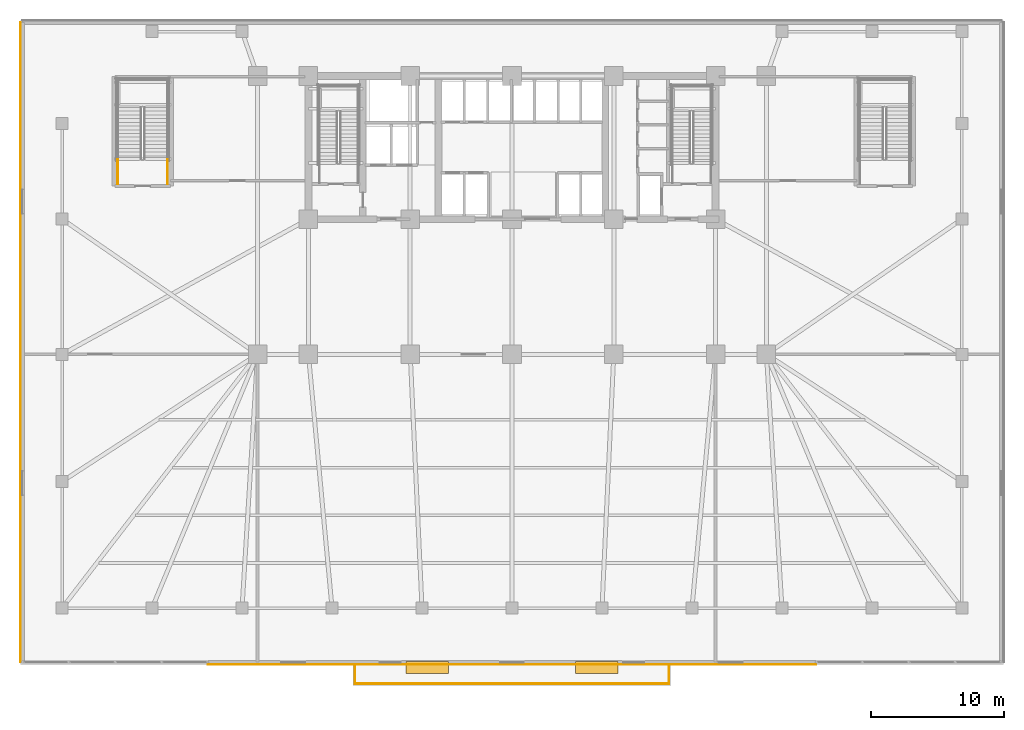
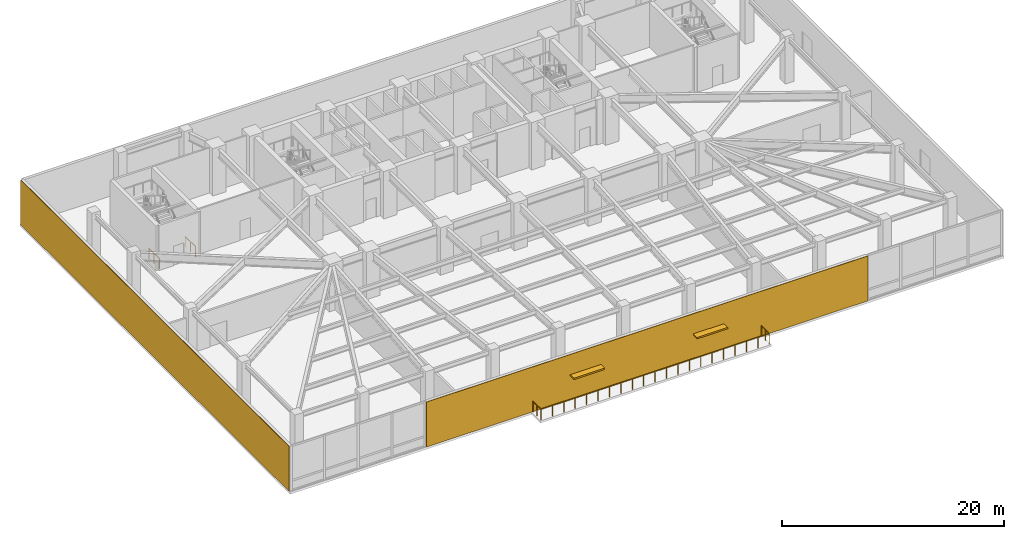
# One storey, part 11 of 15: 3 railings, 2 coverings, 2 shading devices.
"""IFC4 building model written with IfcOpenShell, lengths in metres."""

from ifc_helpers import new_model, si_unit, direction, frame, frame_2d, origin, origin_2d, place, context, subcontext, project, spatial, rectangle, circle, extrude, material, layer, layer_set, type_object, element, save


model = new_model("IFC4")

# Units and contexts
model_context = context("Model", 3, precision=1e-05, world=origin(), true_north=direction((0.0, 1.0)))
body_context = subcontext(model_context, "Body", "Model", "MODEL_VIEW")
ifc_project = project(units=[si_unit("LENGTHUNIT", "METRE"), si_unit("AREAUNIT", "SQUARE_METRE"), si_unit("VOLUMEUNIT", "CUBIC_METRE"), si_unit("PLANEANGLEUNIT", "RADIAN"), si_unit("MASSUNIT", "GRAM", prefix="KILO")], contexts=[model_context])

# Site, building, storey
site_placement = place(None, origin())
site = spatial("IfcSite", under=ifc_project, at=site_placement, CompositionType="ELEMENT")
building_placement = place(site_placement, origin())
building = spatial("IfcBuilding", under=site, at=building_placement, Name="Yelkora Congress Tower", CompositionType="ELEMENT")
storey_placement = place(building_placement, frame((0.0, 0.0, 10.39990234375)))
storey = spatial("IfcBuildingStorey", under=building, at=storey_placement, Name="L02", CompositionType="ELEMENT", Elevation=10.39990234375)

# Coverings
ifc_material_1 = material(Name="Anatolian honed limestone ashlar", Category="masonry")
ifc_layer_1 = layer(ifc_material_1, 0.050048828125)
ifc_layer_set_1 = layer_set([ifc_layer_1], Name="Anatolian honed limestone ashlar")
covering_type = type_object("IfcCoveringType", Name="COV-CLAD-LIMESTONE-50", PredefinedType="CLADDING", material=ifc_layer_set_1)
covering_1_placement = place(storey_placement, frame((1.300048828125, 1.9599609375, 0.0), z_axis=(0.0, 0.0, 1.0), x_axis=(0.0, 1.0, 0.0)))
element("IfcCovering", 1, at=covering_1_placement, inside=storey, type_object=covering_type, Name="L02 Anatolian Limestone Cladding EW-L02-E01", PredefinedType="CLADDING", context=body_context, shape_type="SweptSolid", body=[
    extrude(rectangle(XDim=48.280029296875, YDim=0.050048828125, at=frame_2d((24.14013671875, 0.0))), origin(), (0.0, 0.0, 1.0), 4.940185546875),
])
covering_2_placement = place(storey_placement, frame((15.4599609375, 1.800048828125, 0.0), z_axis=(0.0, 0.0, 1.0), x_axis=(1.0, 0.0, 0.0)))
element("IfcCovering", 2, at=covering_2_placement, inside=storey, type_object=covering_type, Name="L02 Anatolian Limestone Cladding EW-L02-S-TER", PredefinedType="CLADDING", context=body_context, shape_type="SweptSolid", body=[
    extrude(rectangle(XDim=45.880126953125, YDim=0.050048828125, at=frame_2d((22.93994140625, 0.0))), origin(), (0.0, 0.0, 1.0), 4.940185546875),
])

# Railings
ifc_material_2 = material(Name="Painted galvanised steel stair well guard with vertical infill", Category="steel")
ifc_layer_2 = layer(ifc_material_2, 0.06005859375)
ifc_layer_set_2 = layer_set([ifc_layer_2], Name="Painted galvanised steel stair well guard with vertical infill")
railing_type_1 = type_object("IfcRailingType", Name="RAIL-STAIR-GUARD-1120", PredefinedType="GUARDRAIL", material=ifc_layer_set_2)
for number, where, name in (
    (3, (12.409912109375, 38.050048828125, 0.0), "ST-P1 L02 Stair Well Guardrail 8"),
    (4, (8.64990234375, 38.050048828125, 0.0), "ST-P1 L02 Stair Well Guardrail 9"),
):
    element("IfcRailing", number, at=place(storey_placement, frame(where)), inside=storey, type_object=railing_type_1, Name=name, PredefinedType="GUARDRAIL", context=body_context, shape_type="SweptSolid", body=[
        extrude(circle(Radius=0.02392578125, at=origin_2d()), frame((0.0, 0.0, 1.09619140625), z_axis=(0.0, 1.0, 0.0), x_axis=(-1.0, 0.0, 0.0)), (0.0, 0.0, 1.0), 1.849853515625),
        extrude(circle(Radius=0.02099609375, at=origin_2d()), origin(), (0.0, 0.0, 1.0), 1.072021484375),
        extrude(circle(Radius=0.02099609375, at=origin_2d()), frame((0.0, 0.9248046875, 0.0)), (0.0, 0.0, 1.0), 1.072021484375),
        extrude(circle(Radius=0.02099609375, at=origin_2d()), frame((0.0, 1.849853515625, 0.0)), (0.0, 0.0, 1.0), 1.072021484375),
    ])
ifc_material_3 = material(Name="Laminated structural glass balustrade with stainless cap rail", Category="glass")
ifc_layer_3 = layer(ifc_material_3, 0.10009765625)
ifc_layer_set_3 = layer_set([ifc_layer_3], Name="Laminated structural glass balustrade with stainless cap rail")
railing_type_2 = type_object("IfcRailingType", Name="RAIL-TER-BALUSTRADE-1180", PredefinedType="BALUSTRADE", material=ifc_layer_set_3)
railing_placement = place(storey_placement, frame((26.5400390625, 1.760009765625, 0.0)))
element("IfcRailing", 5, at=railing_placement, inside=storey, type_object=railing_type_2, Name="L02 Sky Garden Terrace Perimeter Guardrail", PredefinedType="BALUSTRADE", context=body_context, shape_type="SweptSolid", body=[
    extrude(circle(Radius=0.02392578125, at=origin_2d()), frame((0.0, 0.0, 1.15576171875), z_axis=(0.0, -1.0, 0.0), x_axis=(1.0, 0.0, 0.0)), (0.0, 0.0, 1.0), 1.419921875),
    extrude(circle(Radius=0.02392578125, at=origin_2d()), frame((0.0, -1.419921875, 1.15576171875), z_axis=(1.0, 0.0, 0.0), x_axis=(0.0, 1.0, 0.0)), (0.0, 0.0, 1.0), 23.719970703125),
    extrude(circle(Radius=0.02392578125, at=origin_2d()), frame((23.719970703125, -1.419921875, 1.15576171875), z_axis=(0.0, 1.0, 0.0), x_axis=(-1.0, 0.0, 0.0)), (0.0, 0.0, 1.0), 1.419921875),
    extrude(circle(Radius=0.02099609375, at=origin_2d()), origin(), (0.0, 0.0, 1.0), 1.1318359375),
    extrude(circle(Radius=0.02099609375, at=origin_2d()), frame((0.0, -0.7099609375, 0.0)), (0.0, 0.0, 1.0), 1.1318359375),
    extrude(circle(Radius=0.02099609375, at=origin_2d()), frame((0.0, -1.419921875, 0.0)), (0.0, 0.0, 1.0), 1.1318359375),
    extrude(circle(Radius=0.02099609375, at=origin_2d()), frame((1.18603515625, -1.419921875, 0.0)), (0.0, 0.0, 1.0), 1.1318359375),
    extrude(circle(Radius=0.02099609375, at=origin_2d()), frame((2.3720703125, -1.419921875, 0.0)), (0.0, 0.0, 1.0), 1.1318359375),
    extrude(circle(Radius=0.02099609375, at=origin_2d()), frame((3.55810546875, -1.419921875, 0.0)), (0.0, 0.0, 1.0), 1.1318359375),
    extrude(circle(Radius=0.02099609375, at=origin_2d()), frame((4.743896484375, -1.419921875, 0.0)), (0.0, 0.0, 1.0), 1.1318359375),
    extrude(circle(Radius=0.02099609375, at=origin_2d()), frame((5.929931640625, -1.419921875, 0.0)), (0.0, 0.0, 1.0), 1.1318359375),
    extrude(circle(Radius=0.02099609375, at=origin_2d()), frame((7.115966796875, -1.419921875, 0.0)), (0.0, 0.0, 1.0), 1.1318359375),
    extrude(circle(Radius=0.02099609375, at=origin_2d()), frame((8.302001953125, -1.419921875, 0.0)), (0.0, 0.0, 1.0), 1.1318359375),
    extrude(circle(Radius=0.02099609375, at=origin_2d()), frame((9.488037109375, -1.419921875, 0.0)), (0.0, 0.0, 1.0), 1.1318359375),
    extrude(circle(Radius=0.02099609375, at=origin_2d()), frame((10.674072265625, -1.419921875, 0.0)), (0.0, 0.0, 1.0), 1.1318359375),
    extrude(circle(Radius=0.02099609375, at=origin_2d()), frame((11.85986328125, -1.419921875, 0.0)), (0.0, 0.0, 1.0), 1.1318359375),
    extrude(circle(Radius=0.02099609375, at=origin_2d()), frame((13.0458984375, -1.419921875, 0.0)), (0.0, 0.0, 1.0), 1.1318359375),
    extrude(circle(Radius=0.02099609375, at=origin_2d()), frame((14.23193359375, -1.419921875, 0.0)), (0.0, 0.0, 1.0), 1.1318359375),
    extrude(circle(Radius=0.02099609375, at=origin_2d()), frame((15.41796875, -1.419921875, 0.0)), (0.0, 0.0, 1.0), 1.1318359375),
    extrude(circle(Radius=0.02099609375, at=origin_2d()), frame((16.60400390625, -1.419921875, 0.0)), (0.0, 0.0, 1.0), 1.1318359375),
    extrude(circle(Radius=0.02099609375, at=origin_2d()), frame((17.7900390625, -1.419921875, 0.0)), (0.0, 0.0, 1.0), 1.1318359375),
    extrude(circle(Radius=0.02099609375, at=origin_2d()), frame((18.97607421875, -1.419921875, 0.0)), (0.0, 0.0, 1.0), 1.1318359375),
    extrude(circle(Radius=0.02099609375, at=origin_2d()), frame((20.161865234375, -1.419921875, 0.0)), (0.0, 0.0, 1.0), 1.1318359375),
    extrude(circle(Radius=0.02099609375, at=origin_2d()), frame((21.347900390625, -1.419921875, 0.0)), (0.0, 0.0, 1.0), 1.1318359375),
    extrude(circle(Radius=0.02099609375, at=origin_2d()), frame((22.533935546875, -1.419921875, 0.0)), (0.0, 0.0, 1.0), 1.1318359375),
    extrude(circle(Radius=0.02099609375, at=origin_2d()), frame((23.719970703125, -1.419921875, 0.0)), (0.0, 0.0, 1.0), 1.1318359375),
    extrude(circle(Radius=0.02099609375, at=origin_2d()), frame((23.719970703125, -0.7099609375, 0.0)), (0.0, 0.0, 1.0), 1.1318359375),
    extrude(circle(Radius=0.02099609375, at=origin_2d()), frame((23.719970703125, 0.0, 0.0)), (0.0, 0.0, 1.0), 1.1318359375),
])

# Shading devices
ifc_material_4 = material(Name="Anodised aluminium aerofoil", Category="aluminium")
ifc_layer_4 = layer(ifc_material_4, 0.159912109375)
ifc_layer_set_4 = layer_set([ifc_layer_4], Name="Anodised aluminium aerofoil")
shading_device_type = type_object("IfcShadingDeviceType", Name="SHD-SUNSHADE-900", PredefinedType="USERDEFINED", material=ifc_layer_set_4)
for number, where, z_axis, x_axis, name in (
    (6, (32.0, 1.56005859375, 2.5703125), (0.0, 0.0, 1.0), (1.0, 0.0, 0.0), "L02 Terrace Portal Aerofoil Sunshade"),
    (7, (44.800048828125, 1.56005859375, 2.5703125), (0.0, 0.0, 1.0), (1.0, 0.0, 0.0), "L02 Terrace Portal Aerofoil Sunshade"),
):
    element("IfcShadingDevice", number, at=place(storey_placement, frame(where, z_axis=z_axis, x_axis=x_axis)), inside=storey, type_object=shading_device_type, Name=name, ObjectType="SUNSHADE", PredefinedType="USERDEFINED", context=body_context, shape_type="SweptSolid", body=[
        extrude(rectangle(XDim=3.199951171875, YDim=0.89990234375, at=origin_2d()), origin(), (0.0, 0.0, 1.0), 0.159912109375),
    ])

save(model, "model.ifc")
